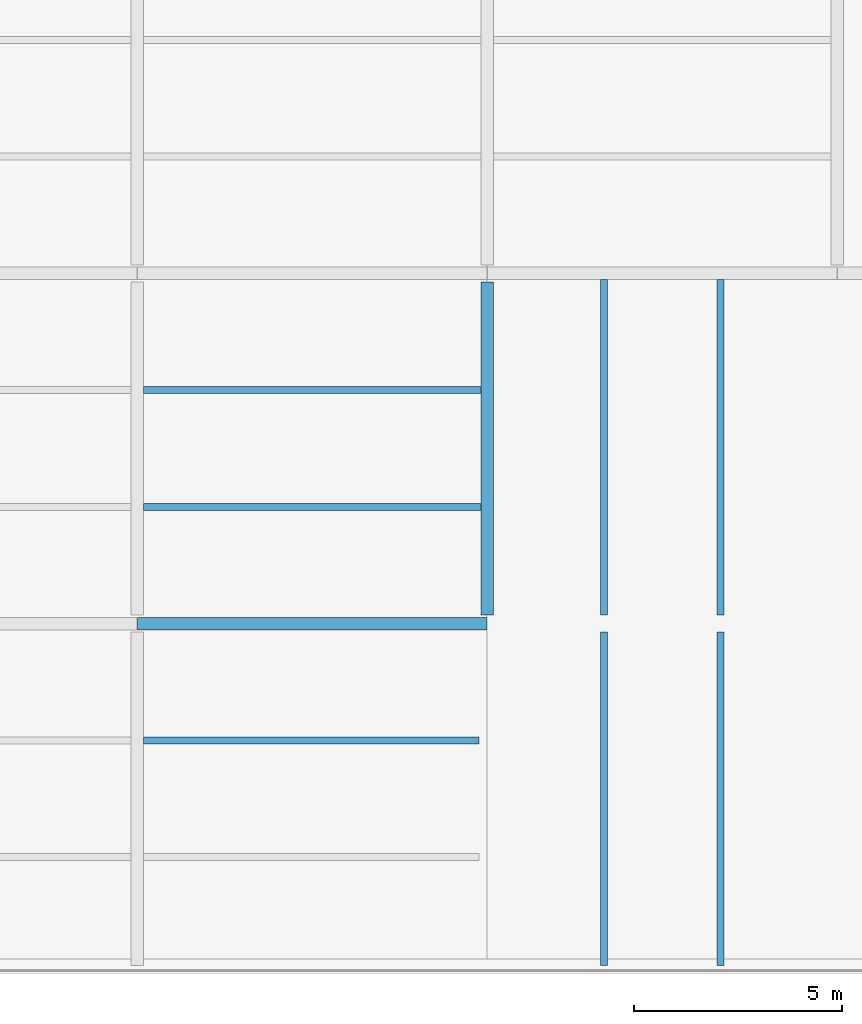
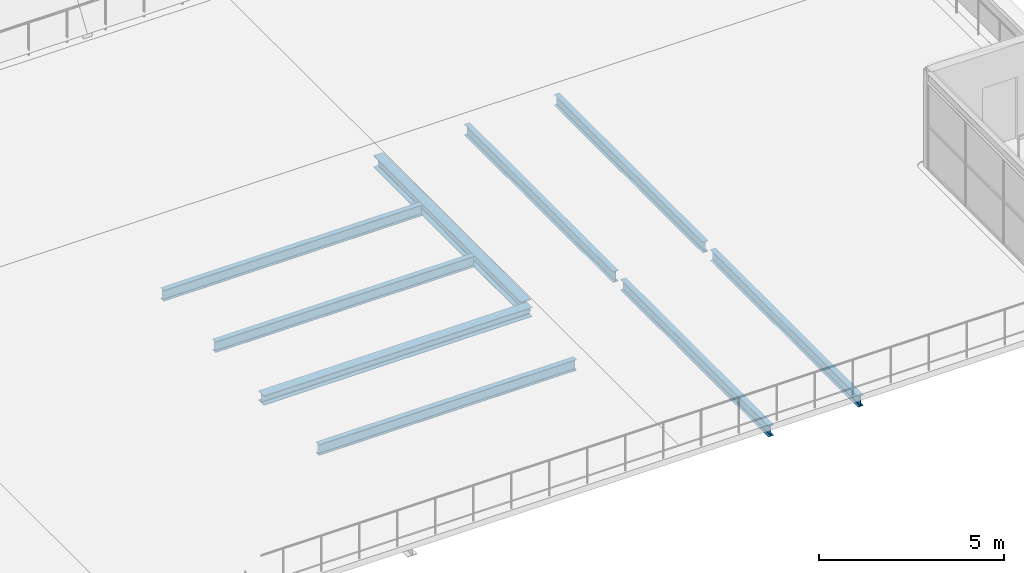
# One storey, part 25 of 58: 9 beams.
"""IFC4 building model written with IfcOpenShell, lengths in metres."""

from ifc_helpers import new_model, si_unit, direction, frame, origin, origin_2d, place, context, subcontext, project, spatial, i_section, extrude, material, material_profile, profile_set, type_object, element, save


model = new_model("IFC4")

# Units and contexts
model_context = context("Model", 3, precision=1e-05, world=origin(), true_north=direction((0.0, 1.0)))
body_context = subcontext(model_context, "Body", "Model", "MODEL_VIEW")
ifc_project = project(units=[si_unit("LENGTHUNIT", "METRE"), si_unit("AREAUNIT", "SQUARE_METRE"), si_unit("VOLUMEUNIT", "CUBIC_METRE"), si_unit("PLANEANGLEUNIT", "RADIAN"), si_unit("MASSUNIT", "GRAM", prefix="KILO")], contexts=[model_context])

# Site, building, storey
site_placement = place(None, origin())
site = spatial("IfcSite", under=ifc_project, at=site_placement, CompositionType="ELEMENT")
building_placement = place(site_placement, origin())
building = spatial("IfcBuilding", under=site, at=building_placement, Name="Galleria Vessillo Department Store", CompositionType="ELEMENT")
storey_placement = place(building_placement, frame((0.0, 0.0, 31.199951171875)))
storey = spatial("IfcBuildingStorey", under=building, at=storey_placement, Name="L06", CompositionType="ELEMENT", Elevation=31.199951171875)

# Beams
ifc_material_1 = material(Name="Steel S355 J2", Category="steel")
ifc_material_profile_1 = material_profile(ifc_material_1, i_section(OverallWidth=0.300048828125, OverallDepth=0.389892578125, WebThickness=0.010986328125, FlangeThickness=0.01904296875, FilletRadius=0.027099609375, at=origin_2d()), Name="HEA 400")
ifc_profile_set_1 = profile_set([ifc_material_profile_1], Name="Steel S355 J2")
beam_type_1 = type_object("IfcBeamType", Name="Floor girder HEA 400", PredefinedType="BEAM", material=ifc_profile_set_1)
beam_1_placement = place(storey_placement, frame((100.800048828125, 8.60009765625, -0.39501953125), z_axis=(0.0, 1.0, 0.0), x_axis=(-1.0, 0.0, 0.0)))
element("IfcBeam", 1, at=beam_1_placement, inside=storey, type_object=beam_type_1, Name="S-BM-L06-GI-y100800-8600", PredefinedType="BEAM", context=body_context, shape_type="SweptSolid", body=[
    extrude(i_section(OverallWidth=0.300048828125, OverallDepth=0.389892578125, WebThickness=0.010986328125, FlangeThickness=0.01904296875, FilletRadius=0.027099609375, at=origin_2d()), origin(), (0.0, 0.0, 1.0), 7.999755859375),
])
ifc_material_2 = material(Name="Steel S355 J2", Category="steel")
ifc_material_profile_2 = material_profile(ifc_material_2, i_section(OverallWidth=0.169921875, OverallDepth=0.360107421875, WebThickness=0.008056640625, FlangeThickness=0.0126953125, FilletRadius=0.01806640625, at=origin_2d()), Name="IPE 360")
ifc_profile_set_2 = profile_set([ifc_material_profile_2], Name="Steel S355 J2")
beam_type_2 = type_object("IfcBeamType", Name="Floor joist IPE 360", PredefinedType="JOIST", material=ifc_profile_set_2)
beam_2_placement = place(storey_placement, frame((92.550048828125, 5.60009765625, -0.3798828125), z_axis=(1.0, 0.0, 0.0), x_axis=(0.0, 1.0, 0.0)))
element("IfcBeam", 2, at=beam_2_placement, inside=storey, type_object=beam_type_2, Name="S-BM-L06-JO-x5600-92550", PredefinedType="JOIST", context=body_context, shape_type="SweptSolid", body=[
    extrude(i_section(OverallWidth=0.169921875, OverallDepth=0.360107421875, WebThickness=0.008056640625, FlangeThickness=0.0126953125, FilletRadius=0.01806640625, at=origin_2d()), origin(), (0.0, 0.0, 1.0), 8.0498046875),
])
for number, where, z_axis, x_axis, name in (
    (3, (92.550048828125, 11.199951171875, -0.3798828125), (1.0, 0.0, 0.0), (0.0, 1.0, 0.0), "S-BM-L06-JO-x11200-92550"),
    (4, (92.550048828125, 14.0, -0.3798828125), (1.0, 0.0, 0.0), (0.0, 1.0, 0.0), "S-BM-L06-JO-x14000-92550"),
):
    element("IfcBeam", number, at=place(storey_placement, frame(where, z_axis=z_axis, x_axis=x_axis)), inside=storey, type_object=beam_type_2, Name=name, PredefinedType="JOIST", context=body_context, shape_type="SweptSolid", body=[
        extrude(i_section(OverallWidth=0.169921875, OverallDepth=0.360107421875, WebThickness=0.008056640625, FlangeThickness=0.0126953125, FilletRadius=0.01806640625, at=origin_2d()), origin(), (0.0, 0.0, 1.0), 8.099853515625),
    ])
for number, where, z_axis, x_axis, name in (
    (5, (103.60009765625, 0.2001953125, -0.3798828125), (0.0, 1.0, 0.0), (-1.0, 0.0, 0.0), "S-BM-L06-JO-y103600-200"),
    (6, (106.39990234375, 0.2001953125, -0.3798828125), (0.0, 1.0, 0.0), (-1.0, 0.0, 0.0), "S-BM-L06-JO-y106400-200"),
):
    element("IfcBeam", number, at=place(storey_placement, frame(where, z_axis=z_axis, x_axis=x_axis)), inside=storey, type_object=beam_type_2, Name=name, PredefinedType="JOIST", context=body_context, shape_type="SweptSolid", body=[
        extrude(i_section(OverallWidth=0.169921875, OverallDepth=0.360107421875, WebThickness=0.008056640625, FlangeThickness=0.0126953125, FilletRadius=0.01806640625, at=origin_2d()), origin(), (0.0, 0.0, 1.0), 7.999755859375),
    ])
for number, where, z_axis, x_axis, name in (
    (7, (103.60009765625, 8.60009765625, -0.3798828125), (0.0, 1.0, 0.0), (-1.0, 0.0, 0.0), "S-BM-L06-JO-y103600-8600"),
    (8, (106.39990234375, 8.60009765625, -0.3798828125), (0.0, 1.0, 0.0), (-1.0, 0.0, 0.0), "S-BM-L06-JO-y106400-8600"),
):
    element("IfcBeam", number, at=place(storey_placement, frame(where, z_axis=z_axis, x_axis=x_axis)), inside=storey, type_object=beam_type_2, Name=name, PredefinedType="JOIST", context=body_context, shape_type="SweptSolid", body=[
        extrude(i_section(OverallWidth=0.169921875, OverallDepth=0.360107421875, WebThickness=0.008056640625, FlangeThickness=0.0126953125, FilletRadius=0.01806640625, at=origin_2d()), origin(), (0.0, 0.0, 1.0), 8.0498046875),
    ])
ifc_material_3 = material(Name="Steel S355 J2", Category="steel")
ifc_material_profile_3 = material_profile(ifc_material_3, i_section(OverallWidth=0.300048828125, OverallDepth=0.31005859375, WebThickness=0.009033203125, FlangeThickness=0.015380859375, FilletRadius=0.027099609375, at=origin_2d()), Name="HEA 320")
ifc_profile_set_3 = profile_set([ifc_material_profile_3], Name="Steel S355 J2")
beam_type_3 = type_object("IfcBeamType", Name="Floor tie girder HEA 320", PredefinedType="BEAM", material=ifc_profile_set_3)
beam_3_placement = place(storey_placement, frame((92.406982421875, 8.39990234375, -0.35498046875), z_axis=(1.0, 0.0, 0.0), x_axis=(0.0, 1.0, 0.0)))
element("IfcBeam", 9, at=beam_3_placement, inside=storey, type_object=beam_type_3, Name="S-BM-L06-TI-x8400-92407", PredefinedType="BEAM", context=body_context, shape_type="SweptSolid", body=[
    extrude(i_section(OverallWidth=0.300048828125, OverallDepth=0.31005859375, WebThickness=0.009033203125, FlangeThickness=0.015380859375, FilletRadius=0.027099609375, at=origin_2d()), origin(), (0.0, 0.0, 1.0), 8.38623046875),
])

save(model, "model.ifc")
